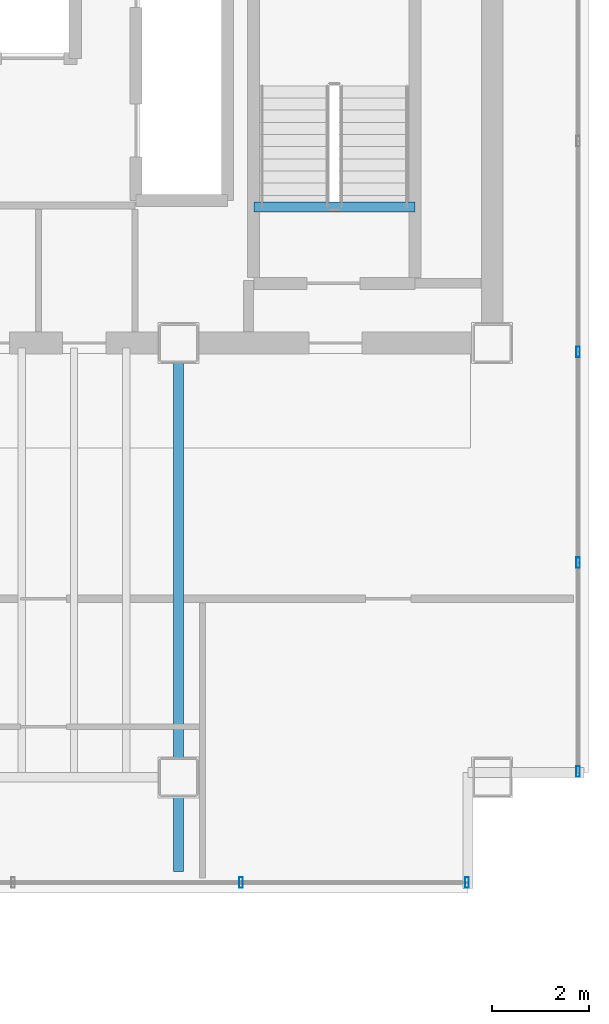
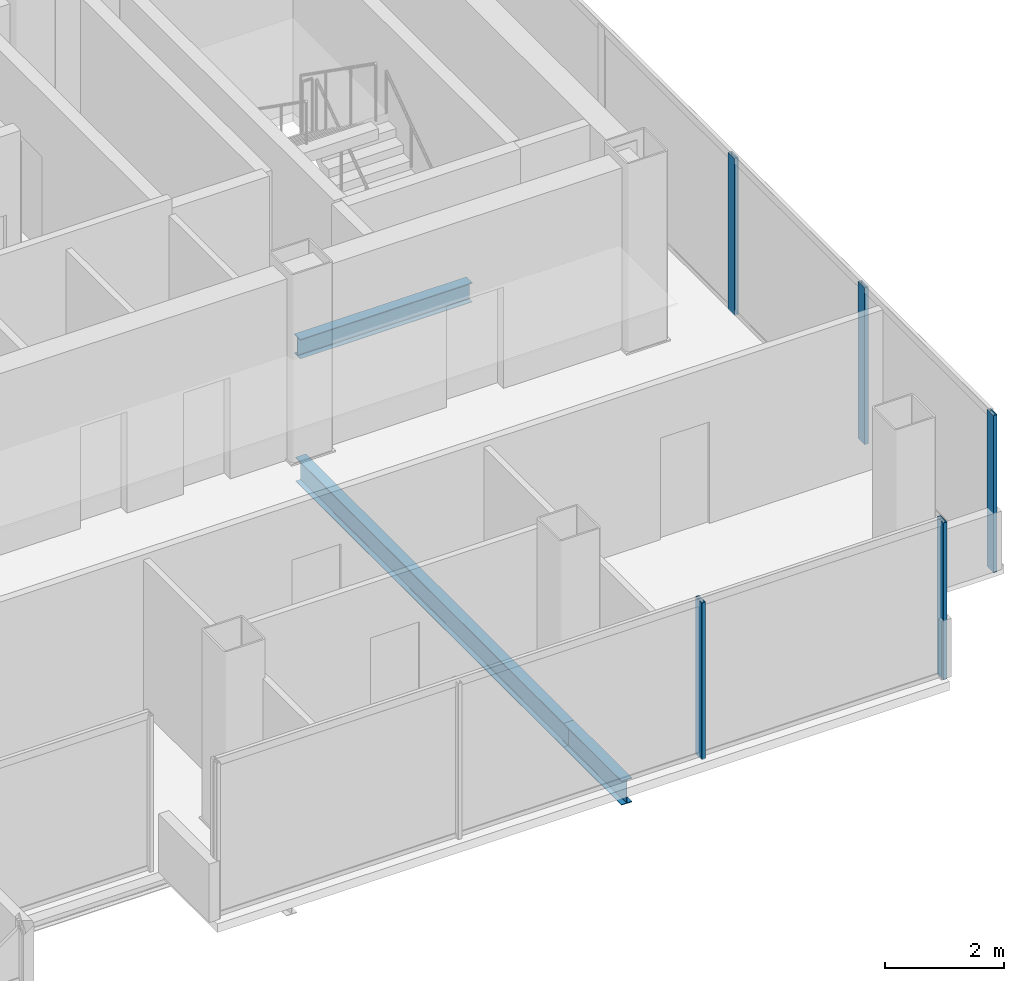
# One storey, part 10 of 16: 5 members, 3 beams, 2 elements without a shape of their own.
"""IFC4 building model written with IfcOpenShell, lengths in metres."""

from ifc_helpers import new_model, si_unit, direction, frame, origin, origin_2d, place, context, subcontext, project, spatial, hollow_rectangle, i_section, extrude, material, material_profile, profile_set, type_object, element, aggregate, save


model = new_model("IFC4")

# Units and contexts
model_context = context("Model", 3, precision=1e-05, world=origin(), true_north=direction((0.0, 1.0)))
body_context = subcontext(model_context, "Body", "Model", "MODEL_VIEW")
ifc_project = project(units=[si_unit("LENGTHUNIT", "METRE"), si_unit("AREAUNIT", "SQUARE_METRE"), si_unit("VOLUMEUNIT", "CUBIC_METRE"), si_unit("PLANEANGLEUNIT", "RADIAN"), si_unit("MASSUNIT", "GRAM", prefix="KILO")], contexts=[model_context])

# Site, building, storey
site_placement = place(None, origin())
site = spatial("IfcSite", under=ifc_project, at=site_placement, CompositionType="ELEMENT")
building_placement = place(site_placement, origin())
building = spatial("IfcBuilding", under=site, at=building_placement, Name="Noeulbin Bourse Tower", CompositionType="ELEMENT")
storey_placement = place(building_placement, frame((0.0, 0.0, 269.60009765625)))
storey = spatial("IfcBuildingStorey", under=building, at=storey_placement, Name="L67", CompositionType="ELEMENT", Elevation=269.60009765625)

# Beams
ifc_material_1 = material(Name="Steel S355", Category="steel")
ifc_material_profile_1 = material_profile(ifc_material_1, i_section(OverallWidth=0.199951171875, OverallDepth=0.5, WebThickness=0.010009765625, FlangeThickness=0.01611328125, FilletRadius=0.02001953125, at=origin_2d()), Name="H-500x200x10x16", Category="LoadBearing")
ifc_profile_set_1 = profile_set([ifc_material_profile_1], Name="Steel S355")
beam_type_1 = type_object("IfcBeamType", Name="BM-GRD-500", PredefinedType="USERDEFINED", material=ifc_profile_set_1)
beam_1_placement = place(storey_placement, frame((37.5, 18.050048828125, -0.43017578125), z_axis=(0.0, 1.0, 0.0), x_axis=(-1.0, 0.0, 0.0)))
element("IfcBeam", 1, at=beam_1_placement, inside=storey, type_object=beam_type_1, Name="Tower Primary Girder NS L67-4.1", ObjectType="GIRDER", PredefinedType="USERDEFINED", context=body_context, shape_type="SweptSolid", body=[
    extrude(i_section(OverallWidth=0.199951171875, OverallDepth=0.5, WebThickness=0.010009765625, FlangeThickness=0.01611328125, FilletRadius=0.02001953125, at=origin_2d()), origin(), (0.0, 0.0, 1.0), 1.949951171875),
])
beam_2_placement = place(storey_placement, frame((37.5, 20.0, -0.43017578125), z_axis=(0.0, 1.0, 0.0), x_axis=(-1.0, 0.0, 0.0)))
element("IfcBeam", 2, at=beam_2_placement, inside=storey, type_object=beam_type_1, Name="Tower Primary Girder NS L67-4.2", ObjectType="GIRDER", PredefinedType="USERDEFINED", context=body_context, shape_type="SweptSolid", body=[
    extrude(i_section(OverallWidth=0.199951171875, OverallDepth=0.5, WebThickness=0.010009765625, FlangeThickness=0.01611328125, FilletRadius=0.02001953125, at=origin_2d()), origin(), (0.0, 0.0, 1.0), 9.0),
])
ifc_material_profile_2 = material_profile(ifc_material_1, i_section(OverallWidth=0.199951171875, OverallDepth=0.39990234375, WebThickness=0.008056640625, FlangeThickness=0.012939453125, FilletRadius=0.01611328125, at=origin_2d()), Name="H-400x200x8x13", Category="LoadBearing")
ifc_profile_set_2 = profile_set([ifc_material_profile_2], Name="Steel S355")
beam_type_2 = type_object("IfcBeamType", Name="BM-SEC-400", PredefinedType="BEAM", material=ifc_profile_set_2)
beam_3_placement = place(storey_placement, frame((39.06005859375, 31.820068359375, -0.2001953125), z_axis=(1.0, 0.0, 0.0), x_axis=(0.0, 1.0, 0.0)))
element("IfcBeam", 3, at=beam_3_placement, inside=storey, type_object=beam_type_2, Name="Stair Threshold Trimmer Beam ST2-L67", PredefinedType="BEAM", context=body_context, shape_type="SweptSolid", body=[
    extrude(i_section(OverallWidth=0.199951171875, OverallDepth=0.39990234375, WebThickness=0.008056640625, FlangeThickness=0.012939453125, FilletRadius=0.01611328125, at=origin_2d()), origin(), (0.0, 0.0, 1.0), 3.33984375),
])

# Curtain wall, members
ifc_material_2 = material(Name="High-Selectivity Low-Iron Glazing", Category="glass")
curtain_wall_type = type_object("IfcCurtainWallType", Name="CW-SYS-4", PredefinedType="NOTDEFINED", material=ifc_material_2)
curtain_wall_1_placement = place(storey_placement, origin())
curtain_wall_1 = element("IfcCurtainWall", 4, at=curtain_wall_1_placement, inside=storey, type_object=curtain_wall_type, Name="Unitised Curtain Wall CW-L67-S3", PredefinedType="NOTDEFINED")
ifc_material_3 = material(Name="Anodised Aluminium 6063-T6", Category="aluminium")
ifc_material_profile_3 = material_profile(ifc_material_3, hollow_rectangle(XDim=0.074951171875, YDim=0.219970703125, WallThickness=0.0048828125, InnerFilletRadius=0.00244140625, OuterFilletRadius=0.0048828125, at=origin_2d()), Name="ALU-MULL-75x220x5", Category="LoadBearing")
ifc_profile_set_3 = profile_set([ifc_material_profile_3], Name="Anodised Aluminium 6063-T6")
member_type = type_object("IfcMemberType", Name="CW-SYS-4-MUL", PredefinedType="MULLION", material=ifc_profile_set_3)
member_1_placement = place(storey_placement, frame((38.796630859375, 17.820068359375, -0.02001953125), z_axis=(0.0, 0.0, 1.0), x_axis=(1.0, 0.0, 0.0)))
member_1 = element("IfcMember", 5, at=member_1_placement, type_object=member_type, Name="Curtain Wall Mullion CW-L67-S3-M02", PredefinedType="MULLION", context=body_context, shape_type="SweptSolid", body=[
    extrude(hollow_rectangle(XDim=0.074951171875, YDim=0.219970703125, WallThickness=0.0048828125, InnerFilletRadius=0.00244140625, OuterFilletRadius=0.0048828125, at=origin_2d()), origin(), (0.0, 0.0, 1.0), 3.219970703125),
])
member_2_placement = place(storey_placement, frame((43.47998046875, 17.820068359375, -0.02001953125), z_axis=(0.0, 0.0, 1.0), x_axis=(1.0, 0.0, 0.0)))
member_2 = element("IfcMember", 6, at=member_2_placement, type_object=member_type, Name="Curtain Wall Mullion CW-L67-S3-M03", PredefinedType="MULLION", context=body_context, shape_type="SweptSolid", body=[
    extrude(hollow_rectangle(XDim=0.074951171875, YDim=0.219970703125, WallThickness=0.0048828125, InnerFilletRadius=0.00244140625, OuterFilletRadius=0.0048828125, at=origin_2d()), origin(), (0.0, 0.0, 1.0), 3.219970703125),
])
aggregate(curtain_wall_1, [member_1, member_2])

curtain_wall_2_placement = place(storey_placement, origin())
curtain_wall_2 = element("IfcCurtainWall", 7, at=curtain_wall_2_placement, inside=storey, type_object=curtain_wall_type, Name="Unitised Curtain Wall CW-L67-E", PredefinedType="NOTDEFINED")
member_3_placement = place(storey_placement, frame((45.780029296875, 20.1201171875, -0.02001953125), z_axis=(0.0, 0.0, 1.0), x_axis=(1.0, 0.0, 0.0)))
member_3 = element("IfcMember", 8, at=member_3_placement, type_object=member_type, Name="Curtain Wall Mullion CW-L67-E-M00", PredefinedType="MULLION", context=body_context, shape_type="SweptSolid", body=[
    extrude(hollow_rectangle(XDim=0.074951171875, YDim=0.219970703125, WallThickness=0.0048828125, InnerFilletRadius=0.00244140625, OuterFilletRadius=0.0048828125, at=origin_2d()), origin(), (0.0, 0.0, 1.0), 3.219970703125),
])
member_4_placement = place(storey_placement, frame((45.780029296875, 24.447998046875, -0.02001953125), z_axis=(0.0, 0.0, 1.0), x_axis=(1.0, 0.0, 0.0)))
member_4 = element("IfcMember", 9, at=member_4_placement, type_object=member_type, Name="Curtain Wall Mullion CW-L67-E-M01", PredefinedType="MULLION", context=body_context, shape_type="SweptSolid", body=[
    extrude(hollow_rectangle(XDim=0.074951171875, YDim=0.219970703125, WallThickness=0.0048828125, InnerFilletRadius=0.00244140625, OuterFilletRadius=0.0048828125, at=origin_2d()), origin(), (0.0, 0.0, 1.0), 3.219970703125),
])
member_5_placement = place(storey_placement, frame((45.780029296875, 28.81591796875, -0.02001953125), z_axis=(0.0, 0.0, 1.0), x_axis=(1.0, 0.0, 0.0)))
member_5 = element("IfcMember", 10, at=member_5_placement, type_object=member_type, Name="Curtain Wall Mullion CW-L67-E-M02", PredefinedType="MULLION", context=body_context, shape_type="SweptSolid", body=[
    extrude(hollow_rectangle(XDim=0.074951171875, YDim=0.219970703125, WallThickness=0.0048828125, InnerFilletRadius=0.00244140625, OuterFilletRadius=0.0048828125, at=origin_2d()), origin(), (0.0, 0.0, 1.0), 3.219970703125),
])
aggregate(curtain_wall_2, [member_3, member_4, member_5])

save(model, "model.ifc")
